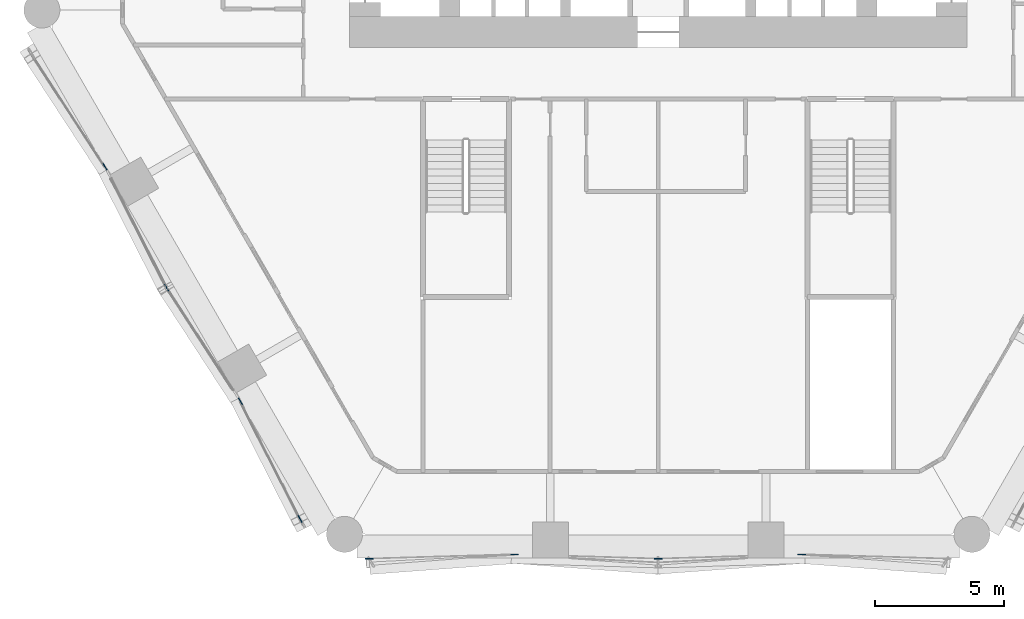
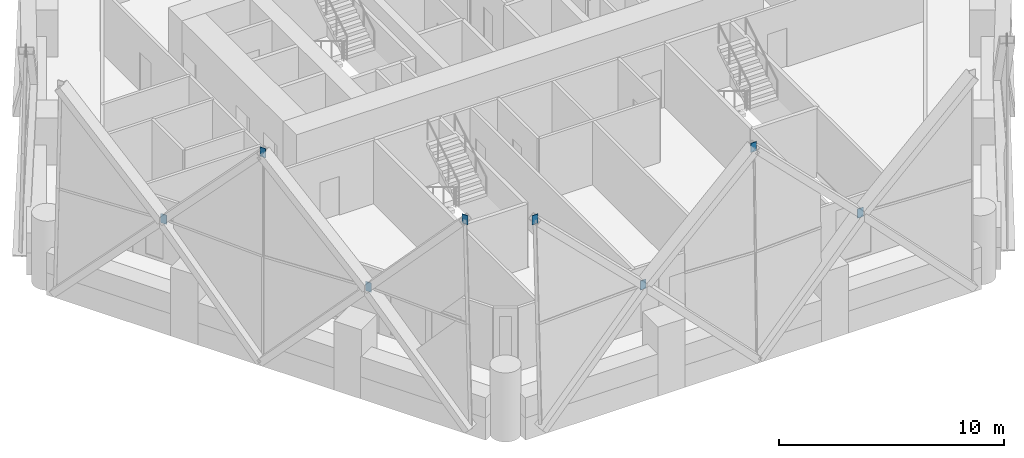
# One storey, part 17 of 22: 8 discrete accessories.
"""IFC4 building model written with IfcOpenShell, lengths in metres."""

from ifc_helpers import new_model, si_unit, direction, frame, origin, origin_2d, place, context, subcontext, project, spatial, rectangle, extrude, material, layer, layer_set, type_object, element, save


model = new_model("IFC4")

# Units and contexts
model_context = context("Model", 3, precision=1e-05, world=origin(), true_north=direction((0.0, 1.0)))
body_context = subcontext(model_context, "Body", "Model", "MODEL_VIEW")
ifc_project = project(units=[si_unit("LENGTHUNIT", "METRE"), si_unit("AREAUNIT", "SQUARE_METRE"), si_unit("VOLUMEUNIT", "CUBIC_METRE"), si_unit("PLANEANGLEUNIT", "RADIAN"), si_unit("MASSUNIT", "GRAM", prefix="KILO")], contexts=[model_context])

# Site, building, storey
site_placement = place(None, origin())
site = spatial("IfcSite", under=ifc_project, at=site_placement, CompositionType="ELEMENT")
building_placement = place(site_placement, origin())
building = spatial("IfcBuilding", under=site, at=building_placement, Name="Ostrander Bayou Hotel Tower", CompositionType="ELEMENT")
storey_placement = place(building_placement, frame((0.0, 0.0, 46.75)))
storey = spatial("IfcBuildingStorey", under=building, at=storey_placement, Name="L11", CompositionType="ELEMENT", Elevation=46.75)

# Discrete accessories
ifc_material = material(Name="Steel ASTM A572 Gr 50", Category="steel")
ifc_layer = layer(ifc_material, 0.030029296875)
ifc_layer_set = layer_set([ifc_layer], Name="GP1 gusset plate 30 mm")
discrete_accessory_type = type_object("IfcDiscreteAccessoryType", Name="GP1 gusset plate 30 mm", PredefinedType="BRACKET", material=ifc_layer_set)
for number, where, z_axis, x_axis, name in (
    (1, (-21.50244140625, -6.337646484375, 4.77490234375), (0.0, 0.0, 1.0), (0.5, -0.866025403784, 0.0), "GP1 gusset plate lat 96"),
    (2, (-19.11328125, -11.034912109375, 10.39990234375), (0.0, 0.0, 1.0), (0.5, -0.866025403784, 0.0), "GP1 gusset plate lat 98"),
    (3, (-16.23974609375, -15.452880859375, 4.77490234375), (0.0, 0.0, 1.0), (0.5, -0.866025403784, 0.0), "GP1 gusset plate lat 99"),
    (4, (-13.92138671875, -20.027587890625, 10.39990234375), (0.0, 0.0, 1.0), (0.5, -0.866025403784, 0.0), "GP1 gusset plate lat 100"),
    (5, (-5.58154296875, -21.4111328125, 4.77490234375), (0.0, 0.0, 1.0), (1.0, 0.0, 0.0), "GP1 gusset plate lat 101"),
    (6, (-11.23388671875, -21.5791015625, 10.39990234375), (0.0, 0.0, 1.0), (1.0, 0.0, 0.0), "GP1 gusset plate lat 102"),
    (7, (0.0, -21.5791015625, 10.39990234375), (0.0, 0.0, 1.0), (1.0, 0.0, 0.0), "GP1 gusset plate lat 103"),
    (8, (5.58154296875, -21.4111328125, 4.77490234375), (0.0, 0.0, 1.0), (1.0, 0.0, 0.0), "GP1 gusset plate lat 104"),
):
    element("IfcDiscreteAccessory", number, at=place(storey_placement, frame(where, z_axis=z_axis, x_axis=x_axis)), inside=storey, type_object=discrete_accessory_type, Name=name, PredefinedType="BRACKET", context=body_context, shape_type="SweptSolid", body=[
        extrude(rectangle(XDim=0.300048828125, YDim=0.030029296875, at=origin_2d()), origin(), (0.0, 0.0, 1.0), 0.5),
    ])

save(model, "model.ifc")
